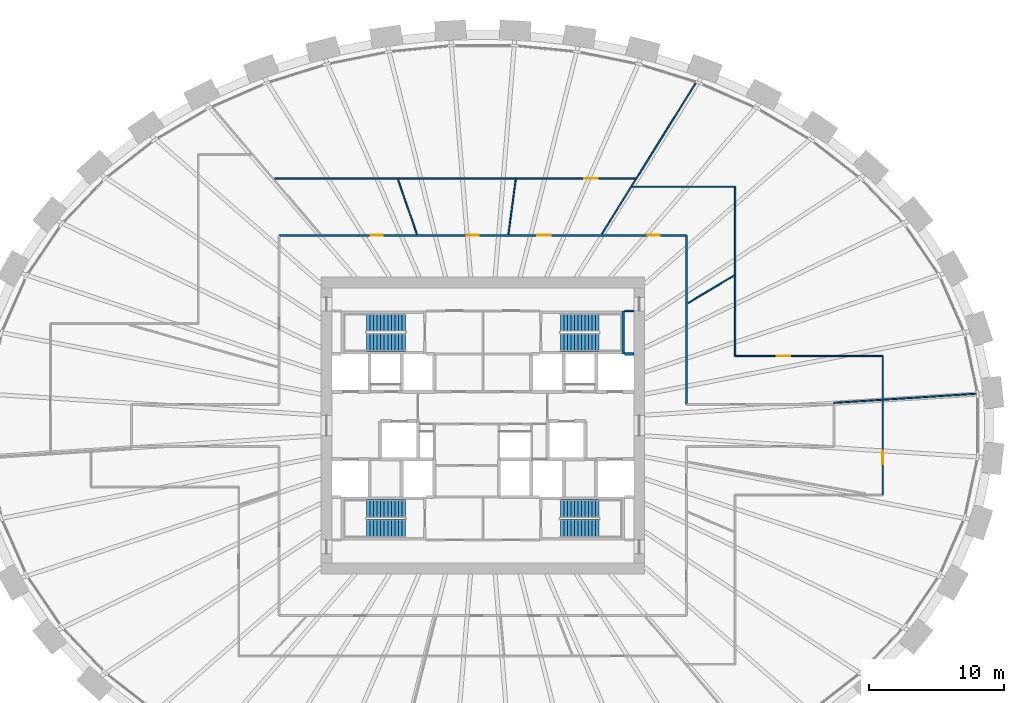
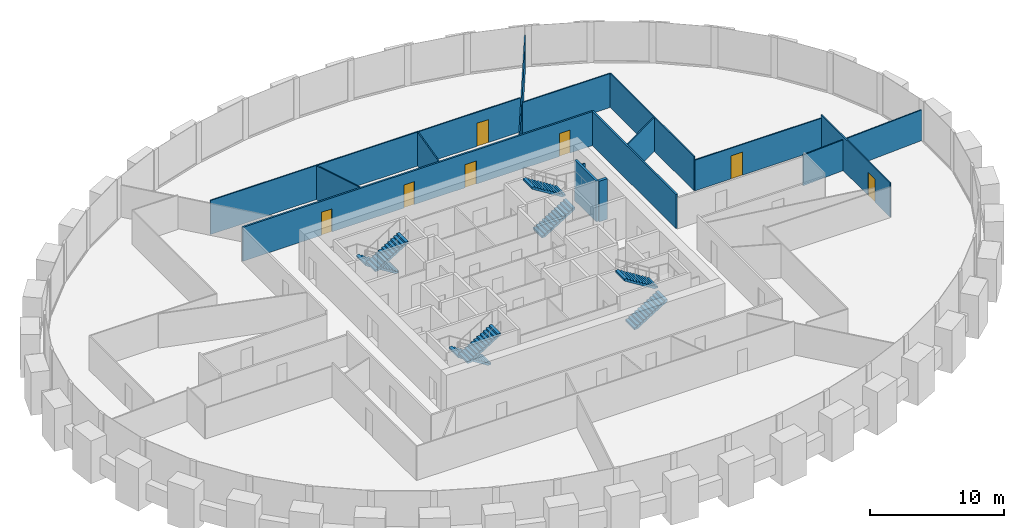
# One storey, part 9 of 10: 15 walls, 8 stair flights, 7 doors, 7 openings, 4 elements without a shape of their own.
"""IFC4 building model written with IfcOpenShell, lengths in metres."""

from ifc_helpers import new_model, si_unit, direction, frame, frame_2d, origin, place, context, subcontext, project, spatial, polyline, rectangle, outline, extrude, source, transform, mapped, material, layer, layer_set, type_object, element, fill, aggregate, save


model = new_model("IFC4")

# Units and contexts
model_context = context("Model", 3, precision=1e-05, world=origin(), true_north=direction((0.0, 1.0)))
body_context = subcontext(model_context, "Body", "Model", "MODEL_VIEW")
ifc_project = project(units=[si_unit("LENGTHUNIT", "METRE"), si_unit("AREAUNIT", "SQUARE_METRE"), si_unit("VOLUMEUNIT", "CUBIC_METRE"), si_unit("PLANEANGLEUNIT", "RADIAN"), si_unit("MASSUNIT", "GRAM", prefix="KILO")], contexts=[model_context])

# Site, building, storey
site_placement = place(None, origin())
site = spatial("IfcSite", under=ifc_project, at=site_placement, CompositionType="ELEMENT")
building_placement = place(site_placement, origin())
building = spatial("IfcBuilding", under=site, at=building_placement, Name="Embergate Tower", CompositionType="ELEMENT")
storey_placement = place(building_placement, frame((0.0, 0.0, 152.10009765625)))
storey = spatial("IfcBuildingStorey", under=building, at=storey_placement, Name="L33", CompositionType="ELEMENT", Elevation=152.10009765625)

# Walls
ifc_material_1 = material(Name="Concrete C50", Category="concrete")
ifc_layer_1 = layer(ifc_material_1, 0.199951171875)
ifc_layer_set_1 = layer_set([ifc_layer_1], Name="Concrete C50")
wall_type_1 = type_object("IfcWallType", Name="Stair enclosure wall reinforced concrete 250", PredefinedType="SHEAR", material=ifc_layer_set_1)
shared_shape_1 = source(origin(), body_context, "Body", "SweptSolid", [
    extrude(rectangle(XDim=3.196044921875, YDim=0.199951171875, at=frame_2d((1.59814453125, 0.0))), origin(), (0.0, 0.0, 1.0), 3.699951171875),
])
wall_1_placement = place(storey_placement, frame((10.39990234375, 5.302001953125, 0.0), z_axis=(0.0, 0.0, 1.0), x_axis=(0.0, 1.0, 0.0)))
element("IfcWall", 1, at=wall_1_placement, inside=storey, type_object=wall_type_1, Name="SE-1 wall", PredefinedType="SHEAR", context=body_context, shape_type="MappedRepresentation", body=[
    mapped(shared_shape_1, transform((0.0, 0.0, 0.0))),
])
ifc_layer_2 = layer(ifc_material_1, 0.25)
ifc_layer_set_2 = layer_set([ifc_layer_2], Name="Concrete C50")
wall_type_2 = type_object("IfcWallType", Name="Hoistway wall reinforced concrete 250", PredefinedType="SHEAR", material=ifc_layer_set_2)
shared_shape_2 = source(origin(), body_context, "Body", "SweptSolid", [
    extrude(rectangle(XDim=0.697998046875, YDim=0.25, at=frame_2d((0.34912109375, 0.0))), origin(), (0.0, 0.0, 1.0), 3.699951171875),
])
wall_2_placement = place(storey_placement, frame((11.199951171875, 5.300048828125, 0.0), z_axis=(0.0, 0.0, 1.0), x_axis=(-1.0, 0.0, 0.0)))
element("IfcWall", 2, at=wall_2_placement, inside=storey, type_object=wall_type_2, Name="HW-1 wall", PredefinedType="SHEAR", context=body_context, shape_type="MappedRepresentation", body=[
    mapped(shared_shape_2, transform((0.0, 0.0, 0.0))),
])
ifc_material_2 = material(Name="Core partition blockwork 120")
ifc_layer_3 = layer(ifc_material_2, 0.1201171875)
ifc_layer_set_3 = layer_set([ifc_layer_3], Name="Core partition blockwork 120")
wall_type_3 = type_object("IfcWallType", Name="Core partition blockwork 120", PredefinedType="PARTITIONING", material=ifc_layer_set_3)
shared_shape_3 = source(origin(), body_context, "Body", "SweptSolid", [
    extrude(rectangle(XDim=0.697998046875, YDim=0.1201171875, at=frame_2d((0.34912109375, 0.0))), origin(), (0.0, 0.0, 1.0), 3.099853515625),
])
wall_3_placement = place(storey_placement, frame((10.501953125, 8.5, 0.0), z_axis=(0.0, 0.0, 1.0), x_axis=(1.0, 0.0, 0.0)))
element("IfcWall", 3, at=wall_3_placement, inside=storey, type_object=wall_type_3, Name="IP-3 wall", PredefinedType="PARTITIONING", context=body_context, shape_type="MappedRepresentation", body=[
    mapped(shared_shape_3, transform((0.0, 0.0, 0.0))),
])
ifc_material_3 = material(Name="Corridor wall dry-lined 150")
ifc_layer_4 = layer(ifc_material_3, 0.14990234375)
ifc_layer_set_4 = layer_set([ifc_layer_4], Name="Corridor wall dry-lined 150")
wall_type_4 = type_object("IfcWallType", Name="Corridor wall dry-lined 150", PredefinedType="PARTITIONING", material=ifc_layer_set_4)
shared_shape_4 = source(origin(), body_context, "Body", "SweptSolid", [
    extrude(rectangle(XDim=12.550048828125, YDim=0.14990234375, at=frame_2d((6.27490234375, 0.0))), origin(), (0.0, 0.0, 1.0), 3.099853515625),
])
wall_4_placement = place(storey_placement, frame((15.10009765625, 1.550048828125, 0.0), z_axis=(0.0, 0.0, 1.0), x_axis=(0.0, 1.0, 0.0)))
element("IfcWall", 4, at=wall_4_placement, inside=storey, type_object=wall_type_4, Name="IP-2 wall", PredefinedType="PARTITIONING", context=body_context, shape_type="MappedRepresentation", body=[
    mapped(shared_shape_4, transform((0.0, 0.0, 0.0))),
])

# Wall, openings, doors
shared_shape_5 = source(origin(), body_context, "Body", "SweptSolid", [
    extrude(rectangle(XDim=30.2001953125, YDim=0.14990234375, at=frame_2d((15.10009765625, 0.0))), origin(), (0.0, 0.0, 1.0), 3.099853515625),
])
wall_5_placement = place(storey_placement, frame((-15.10009765625, 14.10009765625, 0.0), z_axis=(0.0, 0.0, 1.0), x_axis=(1.0, 0.0, 0.0)))
wall_5 = element("IfcWall", 5, at=wall_5_placement, inside=storey, type_object=wall_type_4, Name="IP-2 wall", PredefinedType="PARTITIONING", context=body_context, shape_type="MappedRepresentation", body=[
    mapped(shared_shape_5, transform((0.0, 0.0, 0.0))),
])
shared_shape_6 = source(origin(), body_context, "Body", "SweptSolid", [
    extrude(rectangle(XDim=0.89990234375, YDim=2.10009765625, at=frame_2d((0.449951171875, 1.050048828125))), frame((0.0, 0.0849609375, 0.0), z_axis=(0.0, -1.0, 0.0), x_axis=(1.0, 0.0, 0.0)), (0.0, 0.0, 1.0), 0.169921875),
])
opening_1_placement = place(wall_5_placement, frame((27.306884765625, 0.0, 0.0)))
opening_1 = element("IfcOpeningElement", 6, at=opening_1_placement, cuts=wall_5, Name="Opening IF-1c", PredefinedType="OPENING", context=body_context, shape_type="MappedRepresentation", body=[
    mapped(shared_shape_6, transform((0.0, 0.0, 0.0))),
])
shared_shape_7 = source(origin(), body_context, "Body", "SweptSolid", [
    extrude(rectangle(XDim=1.0, YDim=2.10009765625, at=frame_2d((0.5, 1.050048828125))), frame((0.0, 0.0849609375, 0.0), z_axis=(0.0, -1.0, 0.0), x_axis=(1.0, 0.0, 0.0)), (0.0, 0.0, 1.0), 0.169921875),
])
opening_2_placement = place(wall_5_placement, frame((19.132080078125, 0.0, 0.0)))
opening_2 = element("IfcOpeningElement", 7, at=opening_2_placement, cuts=wall_5, Name="Opening ID-2", PredefinedType="OPENING", context=body_context, shape_type="MappedRepresentation", body=[
    mapped(shared_shape_7, transform((0.0, 0.0, 0.0))),
])
opening_3_placement = place(wall_5_placement, frame((13.89599609375, 0.0, 0.0)))
opening_3 = element("IfcOpeningElement", 8, at=opening_3_placement, cuts=wall_5, Name="Opening IF-1c", PredefinedType="OPENING", context=body_context, shape_type="MappedRepresentation", body=[
    mapped(shared_shape_6, transform((0.0, 0.0, 0.0))),
])
opening_4_placement = place(wall_5_placement, frame((6.791015625, 0.0, 0.0)))
opening_4 = element("IfcOpeningElement", 9, at=opening_4_placement, cuts=wall_5, Name="Opening IF-1c", PredefinedType="OPENING", context=body_context, shape_type="MappedRepresentation", body=[
    mapped(shared_shape_6, transform((0.0, 0.0, 0.0))),
])
ifc_material_4 = material(Name="Escape fire door 900")
door_type_1 = type_object("IfcDoorType", Name="Escape fire door 900", OperationType="SINGLE_SWING_LEFT", PredefinedType="DOOR", material=ifc_material_4)
shared_shape_8 = source(origin(), body_context, "Body", "SweptSolid", [
    extrude(rectangle(XDim=0.89990234375, YDim=2.10009765625, at=frame_2d((0.449951171875, 1.050048828125))), frame((0.0, 0.02490234375, 0.0), z_axis=(0.0, -1.0, 0.0), x_axis=(1.0, 0.0, 0.0)), (0.0, 0.0, 1.0), 0.050048828125),
])
door_1_placement = place(opening_1_placement, origin())
door_1 = element("IfcDoor", 10, at=door_1_placement, inside=storey, type_object=door_type_1, Name="IF-1 door", OperationType="SINGLE_SWING_RIGHT", OverallHeight=2.10009765625, OverallWidth=0.89990234375, PredefinedType="DOOR", context=body_context, shape_type="MappedRepresentation", body=[
    mapped(shared_shape_8, transform((0.0, 0.0, 0.0))),
])
fill(opening_1, door_1)
door_2_placement = place(opening_3_placement, origin())
door_2 = element("IfcDoor", 11, at=door_2_placement, inside=storey, type_object=door_type_1, Name="IF-1 door", OperationType="SINGLE_SWING_LEFT", OverallHeight=2.10009765625, OverallWidth=0.89990234375, PredefinedType="DOOR", context=body_context, shape_type="MappedRepresentation", body=[
    mapped(shared_shape_8, transform((0.0, 0.0, 0.0))),
])
fill(opening_3, door_2)
door_3_placement = place(opening_4_placement, origin())
door_3 = element("IfcDoor", 12, at=door_3_placement, inside=storey, type_object=door_type_1, Name="IF-1 door", OperationType="SINGLE_SWING_LEFT", OverallHeight=2.10009765625, OverallWidth=0.89990234375, PredefinedType="DOOR", context=body_context, shape_type="MappedRepresentation", body=[
    mapped(shared_shape_8, transform((0.0, 0.0, 0.0))),
])
fill(opening_4, door_3)
ifc_material_5 = material(Name="Interior door 1000")
door_type_2 = type_object("IfcDoorType", Name="Interior door 1000", OperationType="SINGLE_SWING_LEFT", PredefinedType="DOOR", material=ifc_material_5)
shared_shape_9 = source(origin(), body_context, "Body", "SweptSolid", [
    extrude(rectangle(XDim=1.0, YDim=2.10009765625, at=frame_2d((0.5, 1.050048828125))), frame((0.0, 0.02490234375, 0.0), z_axis=(0.0, -1.0, 0.0), x_axis=(1.0, 0.0, 0.0)), (0.0, 0.0, 1.0), 0.050048828125),
])
door_4_placement = place(opening_2_placement, origin())
door_4 = element("IfcDoor", 13, at=door_4_placement, inside=storey, type_object=door_type_2, Name="ID-2 door", OperationType="SINGLE_SWING_LEFT", OverallHeight=2.10009765625, OverallWidth=1.0, PredefinedType="DOOR", context=body_context, shape_type="MappedRepresentation", body=[
    mapped(shared_shape_9, transform((0.0, 0.0, 0.0))),
])
fill(opening_2, door_4)

# Wall
ifc_material_6 = material(Name="Partition dry-lined 100")
ifc_layer_5 = layer(ifc_material_6, 0.10009765625)
ifc_layer_set_5 = layer_set([ifc_layer_5], Name="Partition dry-lined 100")
wall_type_5 = type_object("IfcWallType", Name="Partition dry-lined 100", PredefinedType="PARTITIONING", material=ifc_layer_set_5)
shared_shape_10 = source(origin(), body_context, "Body", "SweptSolid", [
    extrude(rectangle(XDim=10.660888671875, YDim=0.10009765625, at=frame_2d((5.33056640625, 0.0))), origin(), (0.0, 0.0, 1.0), 2.7998046875),
])
wall_6_placement = place(storey_placement, frame((26.027099609375, 1.675048828125, 0.0), z_axis=(0.0, 0.0, 1.0), x_axis=(0.997933274946, 0.064258686222, 0.0)))
element("IfcWall", 14, at=wall_6_placement, inside=storey, type_object=wall_type_5, Name="IP-1 wall", PredefinedType="PARTITIONING", context=body_context, shape_type="MappedRepresentation", body=[
    mapped(shared_shape_10, transform((0.0, 0.0, 0.0))),
])

# Wall, opening, door
shared_shape_11 = source(origin(), body_context, "Body", "SweptSolid", [
    extrude(rectangle(XDim=10.949951171875, YDim=0.10009765625, at=frame_2d((5.47509765625, 0.0))), origin(), (0.0, 0.0, 1.0), 2.7998046875),
])
wall_7_placement = place(storey_placement, frame((29.64990234375, 5.14990234375, 0.0), z_axis=(0.0, 0.0, 1.0), x_axis=(-1.0, 0.0, 0.0)))
wall_7 = element("IfcWall", 15, at=wall_7_placement, inside=storey, type_object=wall_type_5, Name="IP-1 wall", PredefinedType="PARTITIONING", context=body_context, shape_type="MappedRepresentation", body=[
    mapped(shared_shape_11, transform((0.0, 0.0, 0.0))),
])
shared_shape_12 = source(origin(), body_context, "Body", "SweptSolid", [
    extrude(rectangle(XDim=1.0, YDim=2.10009765625, at=frame_2d((0.5, 1.050048828125))), frame((0.0, 0.06005859375, 0.0), z_axis=(0.0, -1.0, 0.0), x_axis=(1.0, 0.0, 0.0)), (0.0, 0.0, 1.0), 0.1201171875),
])
opening_5_placement = place(wall_7_placement, frame((6.844970703125, 0.0, 0.0)))
opening_5 = element("IfcOpeningElement", 16, at=opening_5_placement, cuts=wall_7, Name="Opening ID-2", PredefinedType="OPENING", context=body_context, shape_type="MappedRepresentation", body=[
    mapped(shared_shape_12, transform((0.0, 0.0, 0.0))),
])
door_5_placement = place(opening_5_placement, origin())
door_5 = element("IfcDoor", 17, at=door_5_placement, inside=storey, type_object=door_type_2, Name="ID-2 door", OperationType="SINGLE_SWING_RIGHT", OverallHeight=2.10009765625, OverallWidth=1.0, PredefinedType="DOOR", context=body_context, shape_type="MappedRepresentation", body=[
    mapped(shared_shape_9, transform((0.0, 0.0, 0.0))),
])
fill(opening_5, door_5)

# Wall
shared_shape_13 = source(origin(), body_context, "Body", "SweptSolid", [
    extrude(rectangle(XDim=12.550048828125, YDim=0.10009765625, at=frame_2d((6.27490234375, 0.0))), origin(), (0.0, 0.0, 1.0), 3.099853515625),
])
wall_8_placement = place(storey_placement, frame((18.699951171875, 5.14990234375, 0.0), z_axis=(0.0, 0.0, 1.0), x_axis=(0.0, 1.0, 0.0)))
element("IfcWall", 18, at=wall_8_placement, inside=storey, type_object=wall_type_5, Name="IP-1 wall", PredefinedType="PARTITIONING", context=body_context, shape_type="MappedRepresentation", body=[
    mapped(shared_shape_13, transform((0.0, 0.0, 0.0))),
])

# Wall, opening, door
shared_shape_14 = source(origin(), body_context, "Body", "SweptSolid", [
    extrude(rectangle(XDim=10.2998046875, YDim=0.10009765625, at=frame_2d((5.14990234375, 0.0))), origin(), (0.0, 0.0, 1.0), 3.099853515625),
])
wall_9_placement = place(storey_placement, frame((29.64990234375, 5.14990234375, 0.0), z_axis=(0.0, 0.0, 1.0), x_axis=(0.0, -1.0, 0.0)))
wall_9 = element("IfcWall", 19, at=wall_9_placement, inside=storey, type_object=wall_type_5, Name="IP-1 wall", PredefinedType="PARTITIONING", context=body_context, shape_type="MappedRepresentation", body=[
    mapped(shared_shape_14, transform((0.0, 0.0, 0.0))),
])
opening_6_placement = place(wall_9_placement, frame((7.034912109375, 0.0, 0.0)))
opening_6 = element("IfcOpeningElement", 20, at=opening_6_placement, cuts=wall_9, Name="Opening ID-2", PredefinedType="OPENING", context=body_context, shape_type="MappedRepresentation", body=[
    mapped(shared_shape_12, transform((0.0, 0.0, 0.0))),
])
door_6_placement = place(opening_6_placement, origin())
door_6 = element("IfcDoor", 21, at=door_6_placement, inside=storey, type_object=door_type_2, Name="ID-2 door", OperationType="SINGLE_SWING_RIGHT", OverallHeight=2.10009765625, OverallWidth=1.0, PredefinedType="DOOR", context=body_context, shape_type="MappedRepresentation", body=[
    mapped(shared_shape_9, transform((0.0, 0.0, 0.0))),
])
fill(opening_6, door_6)

# Walls
shared_shape_15 = source(origin(), body_context, "Body", "SweptSolid", [
    extrude(rectangle(XDim=3.986328125, YDim=0.10009765625, at=frame_2d((1.9931640625, 0.0))), origin(), (0.0, 0.0, 1.0), 3.099853515625),
])
wall_10_placement = place(storey_placement, frame((15.200927734375, 9.071044921875, 0.0), z_axis=(0.0, 0.0, 1.0), x_axis=(0.858695630282, 0.512485916425, 0.0)))
element("IfcWall", 22, at=wall_10_placement, inside=storey, type_object=wall_type_5, Name="IP-1 wall", PredefinedType="PARTITIONING", context=body_context, shape_type="MappedRepresentation", body=[
    mapped(shared_shape_15, transform((0.0, 0.0, 0.0))),
])
shared_shape_16 = source(origin(), body_context, "Body", "SweptSolid", [
    extrude(rectangle(XDim=7.61083984375, YDim=0.10009765625, at=frame_2d((3.805419921875, 0.0))), origin(), (0.0, 0.0, 1.0), 3.099853515625),
])
wall_11_placement = place(storey_placement, frame((11.089111328125, 17.699951171875, 0.0), z_axis=(0.0, 0.0, 1.0), x_axis=(1.0, 0.0, 0.0)))
element("IfcWall", 23, at=wall_11_placement, inside=storey, type_object=wall_type_5, Name="IP-1 wall", PredefinedType="PARTITIONING", context=body_context, shape_type="MappedRepresentation", body=[
    mapped(shared_shape_16, transform((0.0, 0.0, 0.0))),
])
shared_shape_17 = source(origin(), body_context, "Body", "SweptSolid", [
    extrude(rectangle(XDim=13.261962890625, YDim=0.10009765625, at=frame_2d((6.630859375, 0.0))), origin(), (0.0, 0.0, 1.0), 2.89990234375),
])
wall_12_placement = place(storey_placement, frame((8.824951171875, 14.200927734375, 0.0), z_axis=(0.0, 0.0, 1.0), x_axis=(0.527822867261, 0.849354472995, 0.0)))
element("IfcWall", 24, at=wall_12_placement, inside=storey, type_object=wall_type_5, Name="IP-1 wall", PredefinedType="PARTITIONING", context=body_context, shape_type="MappedRepresentation", body=[
    mapped(shared_shape_17, transform((0.0, 0.0, 0.0))),
])
shared_shape_18 = source(origin(), body_context, "Body", "SweptSolid", [
    extrude(rectangle(XDim=4.09716796875, YDim=0.10009765625, at=frame_2d((2.048583984375, 0.0))), origin(), (0.0, 0.0, 1.0), 3.099853515625),
])
wall_13_placement = place(storey_placement, frame((1.89697265625, 14.181884765625, 0.0), z_axis=(0.0, 0.0, 1.0), x_axis=(0.1325227982, 0.991179957403, 0.0)))
element("IfcWall", 25, at=wall_13_placement, inside=storey, type_object=wall_type_5, Name="IP-1 wall", PredefinedType="PARTITIONING", context=body_context, shape_type="MappedRepresentation", body=[
    mapped(shared_shape_18, transform((0.0, 0.0, 0.0))),
])

# Wall, opening, door
shared_shape_19 = source(origin(), body_context, "Body", "SweptSolid", [
    extrude(rectangle(XDim=26.718994140625, YDim=0.10009765625, at=frame_2d((13.359375, 0.0))), origin(), (0.0, 0.0, 1.0), 3.099853515625),
])
wall_14_placement = place(storey_placement, frame((-15.43701171875, 18.300048828125, 0.0), z_axis=(0.0, 0.0, 1.0), x_axis=(1.0, 0.0, 0.0)))
wall_14 = element("IfcWall", 26, at=wall_14_placement, inside=storey, type_object=wall_type_5, Name="IP-1 wall", PredefinedType="PARTITIONING", context=body_context, shape_type="MappedRepresentation", body=[
    mapped(shared_shape_19, transform((0.0, 0.0, 0.0))),
])
opening_7_placement = place(wall_14_placement, frame((22.9453125, 0.0, 0.0)))
opening_7 = element("IfcOpeningElement", 27, at=opening_7_placement, cuts=wall_14, Name="Opening ID-2", PredefinedType="OPENING", context=body_context, shape_type="MappedRepresentation", body=[
    mapped(shared_shape_12, transform((0.0, 0.0, 0.0))),
])
door_7_placement = place(opening_7_placement, origin())
door_7 = element("IfcDoor", 28, at=door_7_placement, inside=storey, type_object=door_type_2, Name="ID-2 door", OperationType="SINGLE_SWING_LEFT", OverallHeight=2.10009765625, OverallWidth=1.0, PredefinedType="DOOR", context=body_context, shape_type="MappedRepresentation", body=[
    mapped(shared_shape_9, transform((0.0, 0.0, 0.0))),
])
fill(opening_7, door_7)

# Wall
shared_shape_20 = source(origin(), body_context, "Body", "SweptSolid", [
    extrude(rectangle(XDim=4.276611328125, YDim=0.10009765625, at=frame_2d((2.13818359375, 0.0))), origin(), (0.0, 0.0, 1.0), 3.099853515625),
])
wall_15_placement = place(storey_placement, frame((-4.89501953125, 14.19091796875, 0.0), z_axis=(0.0, 0.0, 1.0), x_axis=(-0.325973089691, 0.945379048211, 0.0)))
element("IfcWall", 29, at=wall_15_placement, inside=storey, type_object=wall_type_5, Name="IP-1 wall", PredefinedType="PARTITIONING", context=body_context, shape_type="MappedRepresentation", body=[
    mapped(shared_shape_20, transform((0.0, 0.0, 0.0))),
])

# Stair, stair flights
ifc_material_7 = material(Name="Exit stair")
stair_type = type_object("IfcStairType", Name="Exit stair", PredefinedType="HALF_TURN_STAIR", material=ifc_material_7)
stair_1_placement = place(storey_placement, origin())
stair_1 = element("IfcStair", 30, at=stair_1_placement, inside=storey, type_object=stair_type, Name="L33 Exit stair 1", PredefinedType="HALF_TURN_STAIR")
ifc_material_8 = material(Name="Concrete C40", Category="concrete")
stair_flight_type = type_object("IfcStairFlightType", Name="Stair flight reinforced concrete", PredefinedType="STRAIGHT", material=ifc_material_8)
shared_shape_21 = source(origin(), body_context, "Body", "SweptSolid", [
    extrude(outline(polyline([(0.0, 0.0), (0.0, 0.16259765625), (0.260009765625, 0.16259765625), (0.260009765625, 0.324951171875), (0.52001953125, 0.324951171875), (0.52001953125, 0.487548828125), (0.780029296875, 0.487548828125), (0.780029296875, 0.64990234375), (1.0400390625, 0.64990234375), (1.0400390625, 0.8125), (1.300048828125, 0.8125), (1.300048828125, 0.97509765625), (1.56005859375, 0.97509765625), (1.56005859375, 1.137451171875), (1.820068359375, 1.137451171875), (1.820068359375, 1.300048828125), (2.080078125, 1.300048828125), (2.080078125, 1.46240234375), (2.340087890625, 1.46240234375), (2.340087890625, 1.625), (2.60009765625, 1.625), (2.60009765625, 1.78759765625), (2.860107421875, 1.78759765625), (2.860107421875, 1.949951171875), (2.860107421875, 1.61083984375), (0.28271484375, 0.0), (0.0, 0.0)])), frame((0.0, 0.675048828125, 0.0), z_axis=(0.0, -1.0, 0.0), x_axis=(1.0, 0.0, 0.0)), (0.0, 0.0, 1.0), 1.35009765625),
])
stair_flight_1_placement = place(storey_placement, frame((-5.75, 7.625, 0.0), z_axis=(0.0, 0.0, 1.0), x_axis=(-1.0, 0.0, 0.0)))
stair_flight_1 = element("IfcStairFlight", 31, at=stair_flight_1_placement, type_object=stair_flight_type, Name="ST1 flight 1", NumberOfRisers=12, NumberOfTreads=11, PredefinedType="STRAIGHT", RiserHeight=0.1625, TreadLength=0.26, context=body_context, shape_type="MappedRepresentation", body=[
    mapped(shared_shape_21, transform((0.0, 0.0, 0.0))),
])
stair_flight_2_placement = place(storey_placement, frame((-8.610107421875, 6.175048828125, 1.949951171875), z_axis=(0.0, 0.0, 1.0), x_axis=(1.0, 0.0, 0.0)))
stair_flight_2 = element("IfcStairFlight", 32, at=stair_flight_2_placement, type_object=stair_flight_type, Name="ST1 flight 2", NumberOfRisers=12, NumberOfTreads=11, PredefinedType="STRAIGHT", RiserHeight=0.1625, TreadLength=0.26, context=body_context, shape_type="MappedRepresentation", body=[
    mapped(shared_shape_21, transform((0.0, 0.0, 0.0))),
])
aggregate(stair_1, [stair_flight_1, stair_flight_2])

stair_2_placement = place(storey_placement, origin())
stair_2 = element("IfcStair", 33, at=stair_2_placement, inside=storey, type_object=stair_type, Name="L33 Exit stair 2", PredefinedType="HALF_TURN_STAIR")
stair_flight_3_placement = place(storey_placement, frame((5.75, 6.175048828125, 0.0), z_axis=(0.0, 0.0, 1.0), x_axis=(1.0, 0.0, 0.0)))
stair_flight_3 = element("IfcStairFlight", 34, at=stair_flight_3_placement, type_object=stair_flight_type, Name="ST2 flight 1", NumberOfRisers=12, NumberOfTreads=11, PredefinedType="STRAIGHT", RiserHeight=0.1625, TreadLength=0.26, context=body_context, shape_type="MappedRepresentation", body=[
    mapped(shared_shape_21, transform((0.0, 0.0, 0.0))),
])
stair_flight_4_placement = place(storey_placement, frame((8.610107421875, 7.625, 1.949951171875), z_axis=(0.0, 0.0, 1.0), x_axis=(-1.0, 0.0, 0.0)))
stair_flight_4 = element("IfcStairFlight", 35, at=stair_flight_4_placement, type_object=stair_flight_type, Name="ST2 flight 2", NumberOfRisers=12, NumberOfTreads=11, PredefinedType="STRAIGHT", RiserHeight=0.1625, TreadLength=0.26, context=body_context, shape_type="MappedRepresentation", body=[
    mapped(shared_shape_21, transform((0.0, 0.0, 0.0))),
])
aggregate(stair_2, [stair_flight_3, stair_flight_4])

stair_3_placement = place(storey_placement, origin())
stair_3 = element("IfcStair", 36, at=stair_3_placement, inside=storey, type_object=stair_type, Name="L33 Exit stair 3", PredefinedType="HALF_TURN_STAIR")
stair_flight_5_placement = place(storey_placement, frame((-5.75, -6.175048828125, 0.0), z_axis=(0.0, 0.0, 1.0), x_axis=(-1.0, 0.0, 0.0)))
stair_flight_5 = element("IfcStairFlight", 37, at=stair_flight_5_placement, type_object=stair_flight_type, Name="ST3 flight 1", NumberOfRisers=12, NumberOfTreads=11, PredefinedType="STRAIGHT", RiserHeight=0.1625, TreadLength=0.26, context=body_context, shape_type="MappedRepresentation", body=[
    mapped(shared_shape_21, transform((0.0, 0.0, 0.0))),
])
stair_flight_6_placement = place(storey_placement, frame((-8.610107421875, -7.625, 1.949951171875), z_axis=(0.0, 0.0, 1.0), x_axis=(1.0, 0.0, 0.0)))
stair_flight_6 = element("IfcStairFlight", 38, at=stair_flight_6_placement, type_object=stair_flight_type, Name="ST3 flight 2", NumberOfRisers=12, NumberOfTreads=11, PredefinedType="STRAIGHT", RiserHeight=0.1625, TreadLength=0.26, context=body_context, shape_type="MappedRepresentation", body=[
    mapped(shared_shape_21, transform((0.0, 0.0, 0.0))),
])
aggregate(stair_3, [stair_flight_5, stair_flight_6])

stair_4_placement = place(storey_placement, origin())
stair_4 = element("IfcStair", 39, at=stair_4_placement, inside=storey, type_object=stair_type, Name="L33 Exit stair 4", PredefinedType="HALF_TURN_STAIR")
stair_flight_7_placement = place(storey_placement, frame((5.75, -7.625, 0.0), z_axis=(0.0, 0.0, 1.0), x_axis=(1.0, 0.0, 0.0)))
stair_flight_7 = element("IfcStairFlight", 40, at=stair_flight_7_placement, type_object=stair_flight_type, Name="ST4 flight 1", NumberOfRisers=12, NumberOfTreads=11, PredefinedType="STRAIGHT", RiserHeight=0.1625, TreadLength=0.26, context=body_context, shape_type="MappedRepresentation", body=[
    mapped(shared_shape_21, transform((0.0, 0.0, 0.0))),
])
stair_flight_8_placement = place(storey_placement, frame((8.610107421875, -6.175048828125, 1.949951171875), z_axis=(0.0, 0.0, 1.0), x_axis=(-1.0, 0.0, 0.0)))
stair_flight_8 = element("IfcStairFlight", 41, at=stair_flight_8_placement, type_object=stair_flight_type, Name="ST4 flight 2", NumberOfRisers=12, NumberOfTreads=11, PredefinedType="STRAIGHT", RiserHeight=0.1625, TreadLength=0.26, context=body_context, shape_type="MappedRepresentation", body=[
    mapped(shared_shape_21, transform((0.0, 0.0, 0.0))),
])
aggregate(stair_4, [stair_flight_7, stair_flight_8])

save(model, "model.ifc")
